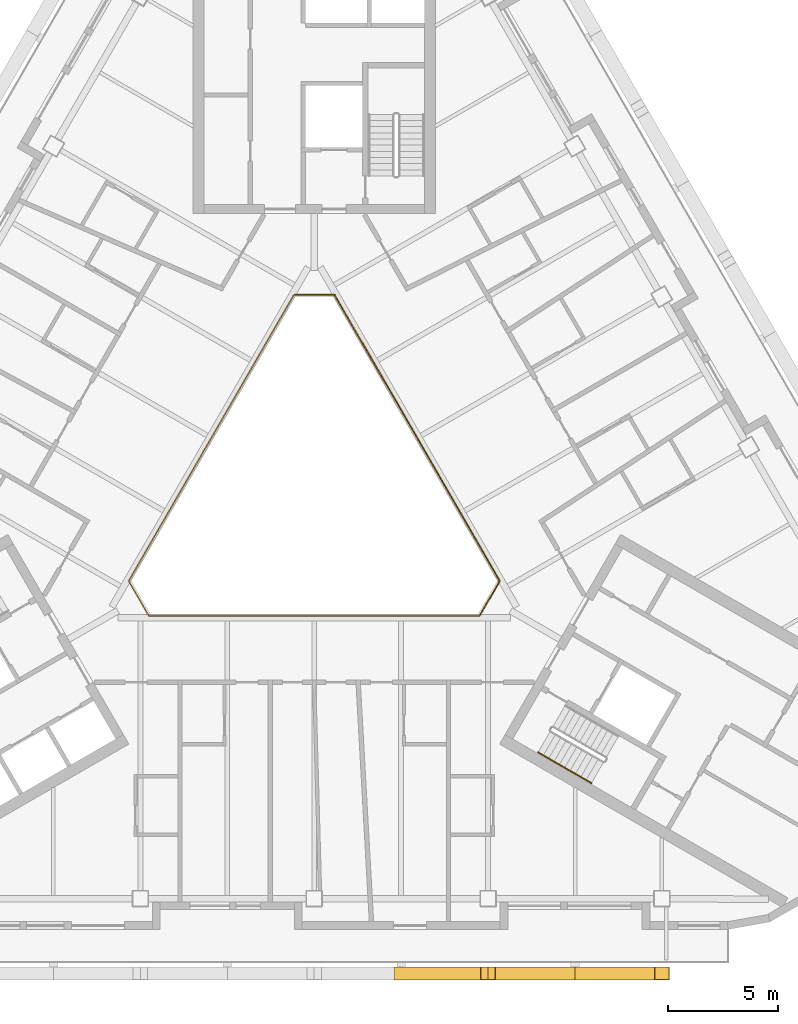
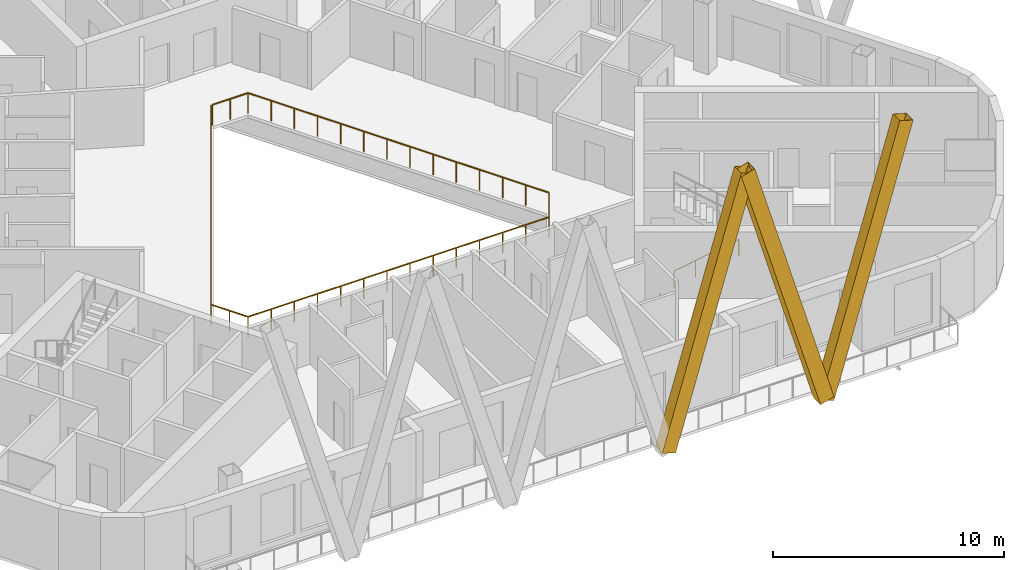
# One storey, part 11 of 14: 3 railings, 3 shading devices.
"""IFC4 building model written with IfcOpenShell, lengths in metres."""

from ifc_helpers import new_model, si_unit, direction, frame, origin, origin_2d, place, context, subcontext, project, spatial, rectangle, hollow_rectangle, circle, extrude, material, material_profile, profile_set, type_object, element, save


model = new_model("IFC4")

# Units and contexts
model_context = context("Model", 3, precision=1e-05, world=origin(), true_north=direction((0.0, 1.0)))
body_context = subcontext(model_context, "Body", "Model", "MODEL_VIEW")
ifc_project = project(units=[si_unit("LENGTHUNIT", "METRE"), si_unit("AREAUNIT", "SQUARE_METRE"), si_unit("VOLUMEUNIT", "CUBIC_METRE"), si_unit("PLANEANGLEUNIT", "RADIAN"), si_unit("MASSUNIT", "GRAM", prefix="KILO")], contexts=[model_context])

# Site, building, storey
site_placement = place(None, origin())
site = spatial("IfcSite", under=ifc_project, at=site_placement, CompositionType="ELEMENT")
building_placement = place(site_placement, origin())
building = spatial("IfcBuilding", under=site, at=building_placement, Name="Apuvela Tower Hotel", CompositionType="ELEMENT")
storey_placement = place(building_placement, frame((0.0, 0.0, 224.300048828125)))
storey = spatial("IfcBuildingStorey", under=building, at=storey_placement, Name="L55", CompositionType="ELEMENT", Elevation=224.300048828125)

# Railing
ifc_material_1 = material(Name="Stainless steel 316 handrail", Category="steel")
railing_type_1 = type_object("IfcRailingType", Name="COR-HANDRAIL-900", PredefinedType="HANDRAIL", material=ifc_material_1)
railing_1_placement = place(storey_placement, frame((10.1689453125, -11.5869140625, 0.168212890625)))
element("IfcRailing", 1, at=railing_1_placement, inside=storey, type_object=railing_type_1, Name="L55 ST3 stair handrail 1", PredefinedType="HANDRAIL", context=body_context, shape_type="SweptSolid", body=[
    extrude(circle(Radius=0.02392578125, at=origin_2d()), frame((0.0, 0.0, 0.8759765625), z_axis=(0.74241905619, -0.428617687091, 0.514879426), x_axis=(0.49998411664, 0.866034573852, 0.0)), (0.0, 0.0, 1.0), 3.26611328125),
    extrude(rectangle(XDim=0.0419921875, YDim=0.0419921875, at=origin_2d()), origin(), (0.0, 0.0, 1.0), 0.851806640625),
    extrude(rectangle(XDim=0.0419921875, YDim=0.0419921875, at=origin_2d()), frame((0.808349609375, -0.466552734375, 0.560546875)), (0.0, 0.0, 1.0), 0.851806640625),
    extrude(rectangle(XDim=0.0419921875, YDim=0.0419921875, at=origin_2d()), frame((1.616455078125, -0.933349609375, 1.12109375)), (0.0, 0.0, 1.0), 0.851806640625),
    extrude(rectangle(XDim=0.0419921875, YDim=0.0419921875, at=origin_2d()), frame((2.4248046875, -1.39990234375, 1.681640625)), (0.0, 0.0, 1.0), 0.851806640625),
])

# Shading devices
ifc_material_2 = material(Name="Aluminium 6063-T6, black anodised", Category="aluminium")
ifc_material_profile = material_profile(ifc_material_2, hollow_rectangle(XDim=0.60009765625, YDim=0.699951171875, WallThickness=0.011962890625, at=origin_2d()), Name="AL BOX 700x600x12")
ifc_profile_set = profile_set([ifc_material_profile], Name="Aluminium 6063-T6, black anodised")
shading_device_type = type_object("IfcShadingDeviceType", Name="ENV-FIN-700x600", PredefinedType="USERDEFINED", material=ifc_profile_set)
for number, where, z_axis, x_axis, name in (
    (2, (3.949951171875, -21.6298828125, -0.10009765625), (0.282741528766, 0.0, 0.95919613631), (0.0, 1.0, 0.0), "Lattice fin S462"),
    (3, (11.85009765625, -21.6298828125, -0.10009765625), (-0.282757607414, 0.0, 0.959191396672), (0.0, -1.0, 0.0), "Lattice fin S463"),
    (4, (11.85009765625, -21.6298828125, -0.10009765625), (0.282741528766, 0.0, 0.95919613631), (0.0, 1.0, 0.0), "Lattice fin S464"),
):
    element("IfcShadingDevice", number, at=place(storey_placement, frame(where, z_axis=z_axis, x_axis=x_axis)), inside=storey, type_object=shading_device_type, Name=name, ObjectType="FIN", PredefinedType="USERDEFINED", context=body_context, shape_type="SweptSolid", body=[
        extrude(hollow_rectangle(XDim=0.60009765625, YDim=0.699951171875, WallThickness=0.011962890625, at=origin_2d()), origin(), (0.0, 0.0, 1.0), 13.97021484375),
    ])

# Railings
ifc_material_3 = material(Name="Stainless steel 316 rail with laminated glass infill", Category="steel")
railing_type_2 = type_object("IfcRailingType", Name="ENV-GUARD-1100", PredefinedType="GUARDRAIL", material=ifc_material_3)
railing_2_placement = place(storey_placement, frame((-0.923828125, 9.199951171875, 0.0)))
element("IfcRailing", 5, at=railing_2_placement, inside=storey, type_object=railing_type_2, Name="Atrium void guard A L55", PredefinedType="GUARDRAIL", context=body_context, shape_type="SweptSolid", body=[
    extrude(rectangle(XDim=0.050048828125, YDim=0.050048828125, at=origin_2d()), frame((0.0, 0.0, 1.0751953125), z_axis=(-0.499990886379, -0.866030665472, 0.0), x_axis=(0.866030665472, -0.499990886379, 0.0)), (0.0, 0.0, 1.0), 15.010986328125),
    extrude(rectangle(XDim=0.050048828125, YDim=0.050048828125, at=origin_2d()), frame((-7.50537109375, -13.0, 1.0751953125), z_axis=(0.499962699187, -0.866046938348, 0.0), x_axis=(0.866046938348, 0.499962699187, 0.0)), (0.0, 0.0, 1.0), 1.847412109375),
    extrude(rectangle(XDim=0.050048828125, YDim=0.050048828125, at=origin_2d()), frame((-6.581787109375, -14.599853515625, 1.0751953125), z_axis=(1.0, 0.0, 0.0), x_axis=(0.0, 1.0, 0.0)), (0.0, 0.0, 1.0), 15.01123046875),
    extrude(rectangle(XDim=0.0400390625, YDim=0.0400390625, at=origin_2d()), origin(), (0.0, 0.0, 1.0), 1.050048828125),
    extrude(rectangle(XDim=0.0400390625, YDim=0.0400390625, at=origin_2d()), frame((-0.577392578125, -1.0, 0.0)), (0.0, 0.0, 1.0), 1.050048828125),
    extrude(rectangle(XDim=0.0400390625, YDim=0.0400390625, at=origin_2d()), frame((-1.15478515625, -2.0, 0.0)), (0.0, 0.0, 1.0), 1.050048828125),
    extrude(rectangle(XDim=0.0400390625, YDim=0.0400390625, at=origin_2d()), frame((-1.73193359375, -3.0, 0.0)), (0.0, 0.0, 1.0), 1.050048828125),
    extrude(rectangle(XDim=0.0400390625, YDim=0.0400390625, at=origin_2d()), frame((-2.309326171875, -4.0, 0.0)), (0.0, 0.0, 1.0), 1.050048828125),
    extrude(rectangle(XDim=0.0400390625, YDim=0.0400390625, at=origin_2d()), frame((-2.88671875, -5.0, 0.0)), (0.0, 0.0, 1.0), 1.050048828125),
    extrude(rectangle(XDim=0.0400390625, YDim=0.0400390625, at=origin_2d()), frame((-3.464111328125, -6.0, 0.0)), (0.0, 0.0, 1.0), 1.050048828125),
    extrude(rectangle(XDim=0.0400390625, YDim=0.0400390625, at=origin_2d()), frame((-4.041259765625, -7.0, 0.0)), (0.0, 0.0, 1.0), 1.050048828125),
    extrude(rectangle(XDim=0.0400390625, YDim=0.0400390625, at=origin_2d()), frame((-4.61865234375, -8.0, 0.0)), (0.0, 0.0, 1.0), 1.050048828125),
    extrude(rectangle(XDim=0.0400390625, YDim=0.0400390625, at=origin_2d()), frame((-5.196044921875, -9.0, 0.0)), (0.0, 0.0, 1.0), 1.050048828125),
    extrude(rectangle(XDim=0.0400390625, YDim=0.0400390625, at=origin_2d()), frame((-5.7734375, -10.0, 0.0)), (0.0, 0.0, 1.0), 1.050048828125),
    extrude(rectangle(XDim=0.0400390625, YDim=0.0400390625, at=origin_2d()), frame((-6.3505859375, -11.0, 0.0)), (0.0, 0.0, 1.0), 1.050048828125),
    extrude(rectangle(XDim=0.0400390625, YDim=0.0400390625, at=origin_2d()), frame((-6.927978515625, -12.0, 0.0)), (0.0, 0.0, 1.0), 1.050048828125),
    extrude(rectangle(XDim=0.0400390625, YDim=0.0400390625, at=origin_2d()), frame((-7.50537109375, -13.0, 0.0)), (0.0, 0.0, 1.0), 1.050048828125),
    extrude(rectangle(XDim=0.0400390625, YDim=0.0400390625, at=origin_2d()), frame((-7.04345703125, -13.7998046875, 0.0)), (0.0, 0.0, 1.0), 1.050048828125),
    extrude(rectangle(XDim=0.0400390625, YDim=0.0400390625, at=origin_2d()), frame((-6.581787109375, -14.599853515625, 0.0)), (0.0, 0.0, 1.0), 1.050048828125),
    extrude(rectangle(XDim=0.0400390625, YDim=0.0400390625, at=origin_2d()), frame((-5.427001953125, -14.599853515625, 0.0)), (0.0, 0.0, 1.0), 1.050048828125),
    extrude(rectangle(XDim=0.0400390625, YDim=0.0400390625, at=origin_2d()), frame((-4.2724609375, -14.599853515625, 0.0)), (0.0, 0.0, 1.0), 1.050048828125),
    extrude(rectangle(XDim=0.0400390625, YDim=0.0400390625, at=origin_2d()), frame((-3.11767578125, -14.599853515625, 0.0)), (0.0, 0.0, 1.0), 1.050048828125),
    extrude(rectangle(XDim=0.0400390625, YDim=0.0400390625, at=origin_2d()), frame((-1.962890625, -14.599853515625, 0.0)), (0.0, 0.0, 1.0), 1.050048828125),
    extrude(rectangle(XDim=0.0400390625, YDim=0.0400390625, at=origin_2d()), frame((-0.808349609375, -14.599853515625, 0.0)), (0.0, 0.0, 1.0), 1.050048828125),
    extrude(rectangle(XDim=0.0400390625, YDim=0.0400390625, at=origin_2d()), frame((0.346435546875, -14.599853515625, 0.0)), (0.0, 0.0, 1.0), 1.050048828125),
    extrude(rectangle(XDim=0.0400390625, YDim=0.0400390625, at=origin_2d()), frame((1.501220703125, -14.599853515625, 0.0)), (0.0, 0.0, 1.0), 1.050048828125),
    extrude(rectangle(XDim=0.0400390625, YDim=0.0400390625, at=origin_2d()), frame((2.656005859375, -14.599853515625, 0.0)), (0.0, 0.0, 1.0), 1.050048828125),
    extrude(rectangle(XDim=0.0400390625, YDim=0.0400390625, at=origin_2d()), frame((3.810546875, -14.599853515625, 0.0)), (0.0, 0.0, 1.0), 1.050048828125),
    extrude(rectangle(XDim=0.0400390625, YDim=0.0400390625, at=origin_2d()), frame((4.96533203125, -14.599853515625, 0.0)), (0.0, 0.0, 1.0), 1.050048828125),
    extrude(rectangle(XDim=0.0400390625, YDim=0.0400390625, at=origin_2d()), frame((6.1201171875, -14.599853515625, 0.0)), (0.0, 0.0, 1.0), 1.050048828125),
    extrude(rectangle(XDim=0.0400390625, YDim=0.0400390625, at=origin_2d()), frame((7.274658203125, -14.599853515625, 0.0)), (0.0, 0.0, 1.0), 1.050048828125),
    extrude(rectangle(XDim=0.0400390625, YDim=0.0400390625, at=origin_2d()), frame((8.429443359375, -14.599853515625, 0.0)), (0.0, 0.0, 1.0), 1.050048828125),
])
railing_3_placement = place(storey_placement, frame((7.53564453125, -5.347900390625, 0.0)))
element("IfcRailing", 6, at=railing_3_placement, inside=storey, type_object=railing_type_2, Name="Atrium void guard B L55", PredefinedType="GUARDRAIL", context=body_context, shape_type="SweptSolid", body=[
    extrude(rectangle(XDim=0.050048828125, YDim=0.050048828125, at=origin_2d()), frame((0.0, 0.0, 1.0751953125), z_axis=(0.499958946799, 0.866049104564, 0.0), x_axis=(-0.866049104564, 0.499958946799, 0.0)), (0.0, 0.0, 1.0), 1.787353515625),
    extrude(rectangle(XDim=0.050048828125, YDim=0.050048828125, at=origin_2d()), frame((0.8935546875, 1.5478515625, 1.0751953125), z_axis=(-0.499990886379, 0.866030665472, 0.0), x_axis=(-0.866030665472, -0.499990886379, 0.0)), (0.0, 0.0, 1.0), 15.010986328125),
    extrude(rectangle(XDim=0.050048828125, YDim=0.050048828125, at=origin_2d()), frame((-6.61181640625, 14.5478515625, 1.0751953125), z_axis=(-1.0, 0.0, 0.0), x_axis=(0.0, -1.0, 0.0)), (0.0, 0.0, 1.0), 1.78759765625),
    extrude(rectangle(XDim=0.0400390625, YDim=0.0400390625, at=origin_2d()), origin(), (0.0, 0.0, 1.0), 1.050048828125),
    extrude(rectangle(XDim=0.0400390625, YDim=0.0400390625, at=origin_2d()), frame((0.44677734375, 0.77392578125, 0.0)), (0.0, 0.0, 1.0), 1.050048828125),
    extrude(rectangle(XDim=0.0400390625, YDim=0.0400390625, at=origin_2d()), frame((0.8935546875, 1.5478515625, 0.0)), (0.0, 0.0, 1.0), 1.050048828125),
    extrude(rectangle(XDim=0.0400390625, YDim=0.0400390625, at=origin_2d()), frame((0.316162109375, 2.5478515625, 0.0)), (0.0, 0.0, 1.0), 1.050048828125),
    extrude(rectangle(XDim=0.0400390625, YDim=0.0400390625, at=origin_2d()), frame((-0.26123046875, 3.5478515625, 0.0)), (0.0, 0.0, 1.0), 1.050048828125),
    extrude(rectangle(XDim=0.0400390625, YDim=0.0400390625, at=origin_2d()), frame((-0.83837890625, 4.5478515625, 0.0)), (0.0, 0.0, 1.0), 1.050048828125),
    extrude(rectangle(XDim=0.0400390625, YDim=0.0400390625, at=origin_2d()), frame((-1.415771484375, 5.5478515625, 0.0)), (0.0, 0.0, 1.0), 1.050048828125),
    extrude(rectangle(XDim=0.0400390625, YDim=0.0400390625, at=origin_2d()), frame((-1.9931640625, 6.5478515625, 0.0)), (0.0, 0.0, 1.0), 1.050048828125),
    extrude(rectangle(XDim=0.0400390625, YDim=0.0400390625, at=origin_2d()), frame((-2.570556640625, 7.5478515625, 0.0)), (0.0, 0.0, 1.0), 1.050048828125),
    extrude(rectangle(XDim=0.0400390625, YDim=0.0400390625, at=origin_2d()), frame((-3.147705078125, 8.5478515625, 0.0)), (0.0, 0.0, 1.0), 1.050048828125),
    extrude(rectangle(XDim=0.0400390625, YDim=0.0400390625, at=origin_2d()), frame((-3.72509765625, 9.5478515625, 0.0)), (0.0, 0.0, 1.0), 1.050048828125),
    extrude(rectangle(XDim=0.0400390625, YDim=0.0400390625, at=origin_2d()), frame((-4.302490234375, 10.5478515625, 0.0)), (0.0, 0.0, 1.0), 1.050048828125),
    extrude(rectangle(XDim=0.0400390625, YDim=0.0400390625, at=origin_2d()), frame((-4.8798828125, 11.5478515625, 0.0)), (0.0, 0.0, 1.0), 1.050048828125),
    extrude(rectangle(XDim=0.0400390625, YDim=0.0400390625, at=origin_2d()), frame((-5.45703125, 12.5478515625, 0.0)), (0.0, 0.0, 1.0), 1.050048828125),
    extrude(rectangle(XDim=0.0400390625, YDim=0.0400390625, at=origin_2d()), frame((-6.034423828125, 13.5478515625, 0.0)), (0.0, 0.0, 1.0), 1.050048828125),
    extrude(rectangle(XDim=0.0400390625, YDim=0.0400390625, at=origin_2d()), frame((-6.61181640625, 14.5478515625, 0.0)), (0.0, 0.0, 1.0), 1.050048828125),
    extrude(rectangle(XDim=0.0400390625, YDim=0.0400390625, at=origin_2d()), frame((-7.505615234375, 14.5478515625, 0.0)), (0.0, 0.0, 1.0), 1.050048828125),
    extrude(rectangle(XDim=0.0400390625, YDim=0.0400390625, at=origin_2d()), frame((-8.3994140625, 14.5478515625, 0.0)), (0.0, 0.0, 1.0), 1.050048828125),
])

save(model, "model.ifc")
